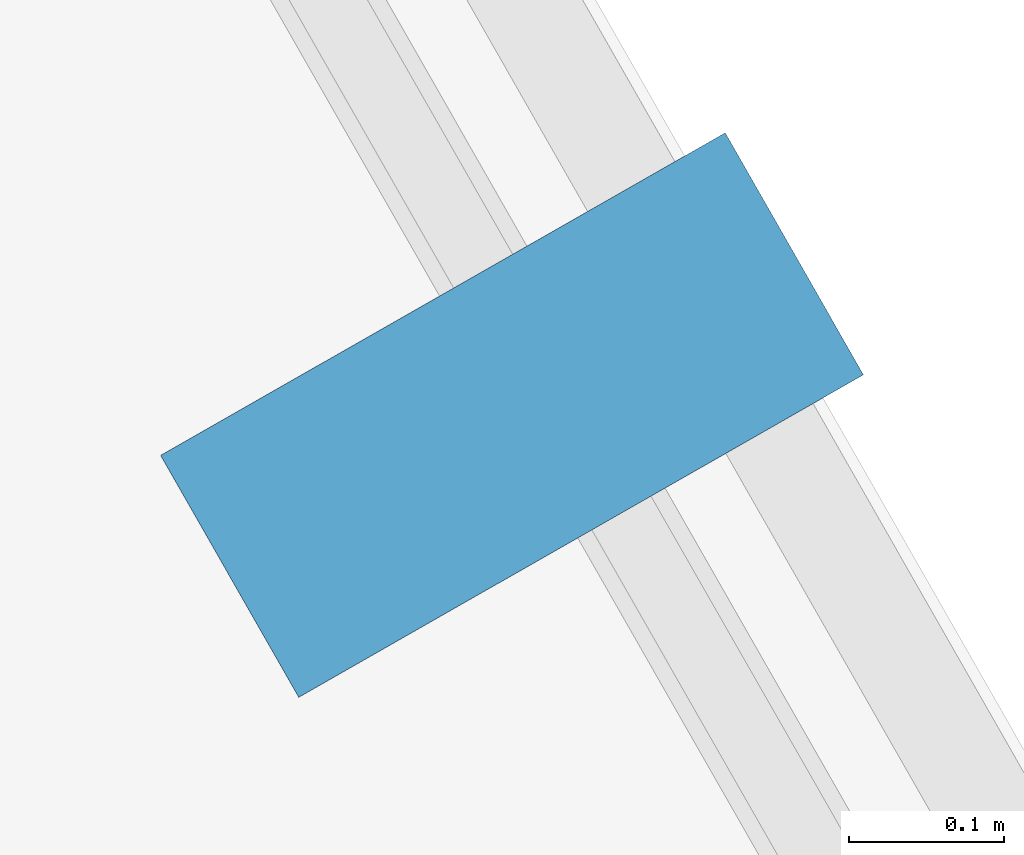
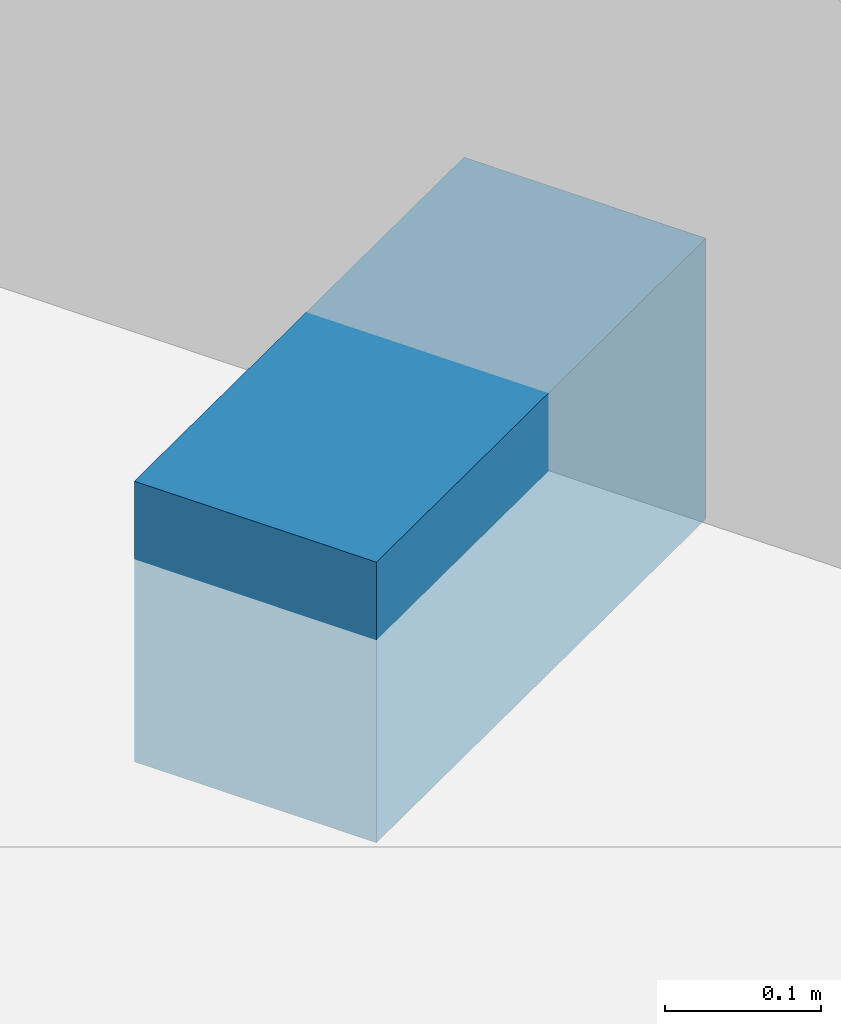
# One storey, part 33 of 36: 1 discrete accessory.
"""IFC4 building model written with IfcOpenShell, lengths in metres."""

from ifc_helpers import new_model, si_unit, direction, frame, origin, origin_2d, place, context, subcontext, project, spatial, rectangle, extrude, source, transform, mapped, material, type_object, type_shapes, element, save


model = new_model("IFC4")

# Units and contexts
model_context = context("Model", 3, precision=1e-05, world=origin(), true_north=direction((0.0, 1.0)))
body_context = subcontext(model_context, "Body", "Model", "MODEL_VIEW")
ifc_project = project(units=[si_unit("LENGTHUNIT", "METRE"), si_unit("AREAUNIT", "SQUARE_METRE"), si_unit("VOLUMEUNIT", "CUBIC_METRE"), si_unit("PLANEANGLEUNIT", "RADIAN"), si_unit("MASSUNIT", "GRAM", prefix="KILO")], contexts=[model_context])

# Site, building, storey
site_placement = place(None, origin())
site = spatial("IfcSite", under=ifc_project, at=site_placement, CompositionType="ELEMENT")
building_placement = place(site_placement, origin())
building = spatial("IfcBuilding", under=site, at=building_placement, Name="Caelisora Broadcast Tower", CompositionType="ELEMENT")
storey_placement = place(building_placement, frame((0.0, 0.0, 60.449951171875)))
storey = spatial("IfcBuildingStorey", under=building, at=storey_placement, Name="L15", CompositionType="ELEMENT", Elevation=60.449951171875)

# Discrete accessory
ifc_material = material(Name="Steel Grade 350 (AS/NZS 3679.1)", Category="steel")
discrete_accessory_type = type_object("IfcDiscreteAccessoryType", Name="BRK-1", PredefinedType="BRACKET", material=ifc_material)
shared_shape = source(origin(), body_context, "Body", "SweptSolid", [
    extrude(rectangle(XDim=0.179931640625, YDim=0.419921875, at=origin_2d()), origin(), (0.0, 0.0, 1.0), 0.219970703125),
])
type_shapes(discrete_accessory_type, [shared_shape])
discrete_accessory_placement = place(storey_placement, frame((54.54931640625, 33.8671875, -0.16015625), z_axis=(0.0, 0.0, 1.0), x_axis=(-0.495913414893, 0.868371973828, 0.0)))
element("IfcDiscreteAccessory", 1, at=discrete_accessory_placement, inside=storey, type_object=discrete_accessory_type, Name="L15 solar screen outrigger bracket #3", PredefinedType="BRACKET", context=body_context, shape_type="MappedRepresentation", body=[
    mapped(shared_shape, transform((0.0, 0.0, 0.0), scale=1.0)),
])

save(model, "model.ifc")
